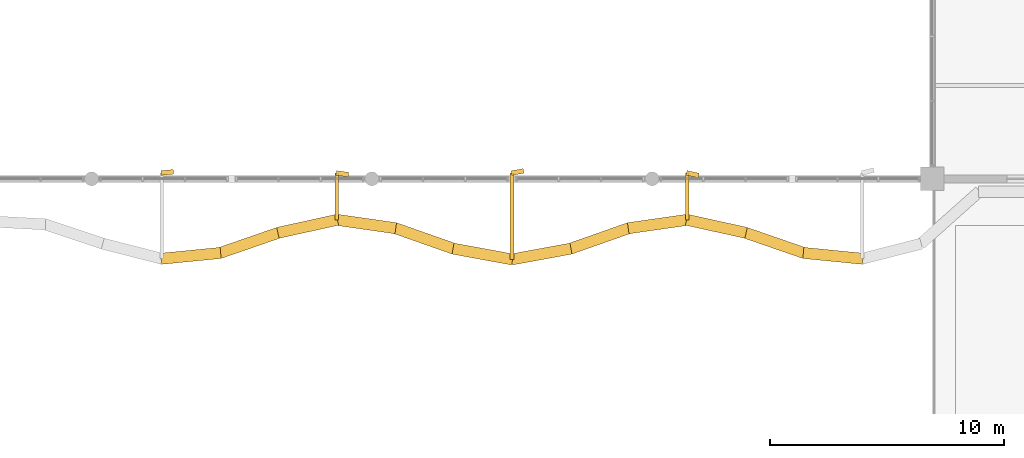
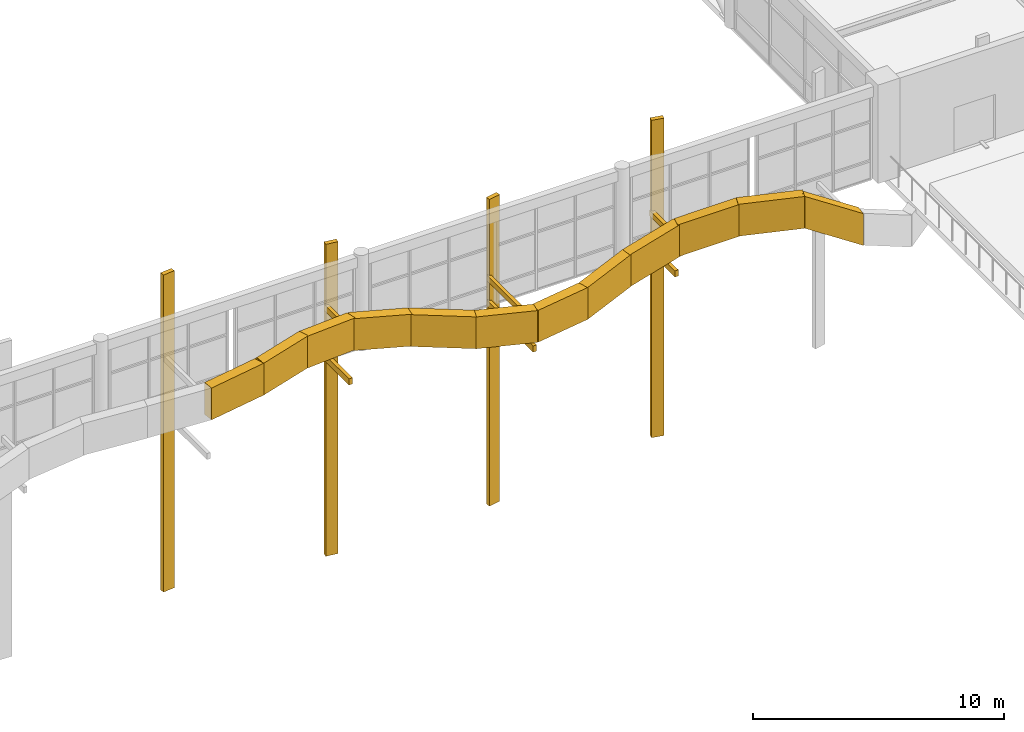
# One storey, part 53 of 63: 22 coverings.
"""IFC4 building model written with IfcOpenShell, lengths in metres."""

from ifc_helpers import new_model, si_unit, direction, frame, frame_2d, origin, place, context, subcontext, project, spatial, polyline, rectangle, outline, extrude, material, layer, layer_set, type_object, element, save


model = new_model("IFC4")

# Units and contexts
model_context = context("Model", 3, precision=1e-05, world=origin(), true_north=direction((0.0, 1.0)))
body_context = subcontext(model_context, "Body", "Model", "MODEL_VIEW")
ifc_project = project(units=[si_unit("LENGTHUNIT", "METRE"), si_unit("AREAUNIT", "SQUARE_METRE"), si_unit("VOLUMEUNIT", "CUBIC_METRE"), si_unit("PLANEANGLEUNIT", "RADIAN"), si_unit("MASSUNIT", "GRAM", prefix="KILO")], contexts=[model_context])

# Site, building, storey
site_placement = place(None, origin())
site = spatial("IfcSite", under=ifc_project, at=site_placement, CompositionType="ELEMENT")
building_placement = place(site_placement, origin())
building = spatial("IfcBuilding", under=site, at=building_placement, Name="Keelwater Ferry Terminal", CompositionType="ELEMENT")
storey_placement = place(building_placement, frame((0.0, 0.0, 10.199951171875)))
storey = spatial("IfcBuildingStorey", under=building, at=storey_placement, Name="L02", CompositionType="ELEMENT", Elevation=10.199951171875)

# Coverings
ifc_material = material(Name="Matte white architectural aluminium fascia ribbon", Category="aluminium")
ifc_layer = layer(ifc_material, 0.1201171875)
ifc_layer_set = layer_set([ifc_layer], Name="Matte white architectural aluminium fascia ribbon")
covering_type = type_object("IfcCoveringType", Name="RB-WHT Matte White Fascia Ribbon", PredefinedType="CLADDING", material=ifc_layer_set)
covering_1_placement = place(storey_placement, frame((98.97509765625, 38.576904296875, 1.804931640625), z_axis=(0.0, 0.0, 1.0), x_axis=(0.995190712751, 0.097956343614, 0.0)))
element("IfcCovering", 1, at=covering_1_placement, inside=storey, type_object=covering_type, Name="Concourse Upper Wave Fascia Ribbon 472", PredefinedType="CLADDING", context=body_context, shape_type="SweptSolid", body=[
    extrude(outline(polyline([(0.0, 0.0), (2.56201171875, 0.166015625), (2.56201171875, 1.716064453125), (0.0, 1.550048828125), (0.0, 0.0)])), frame((0.0, 0.239990234375, 0.0), z_axis=(0.0, -1.0, 0.0), x_axis=(1.0, 0.0, 0.0)), (0.0, 0.0, 1.0), 0.47998046875),
])
covering_2_placement = place(storey_placement, frame((98.97509765625, 42.248046875, -8.884033203125), z_axis=(0.0, 0.0, 1.0), x_axis=(0.995181961028, 0.098045216327, 0.0)))
element("IfcCovering", 2, at=covering_2_placement, inside=storey, type_object=covering_type, Name="Ribbon Recessed Support Mullion 481", PredefinedType="CLADDING", context=body_context, shape_type="SweptSolid", body=[
    extrude(outline(polyline([(0.0, 0.0), (0.5302734375, 0.0), (0.5302734375, 15.43115234375), (0.0, 15.43115234375), (0.0, 0.0)])), frame((0.0, 0.10009765625, 0.0), z_axis=(0.0, -1.0, 0.0), x_axis=(1.0, 0.0, 0.0)), (0.0, 0.0, 1.0), 0.199951171875),
])
covering_3_placement = place(storey_placement, frame((101.47607421875, 38.818115234375, 1.8779296875), z_axis=(0.0, 0.0, 1.0), x_axis=(0.945110901935, 0.326749725391, 0.0)))
element("IfcCovering", 3, at=covering_3_placement, inside=storey, type_object=covering_type, Name="Concourse Upper Wave Fascia Ribbon 483", PredefinedType="CLADDING", context=body_context, shape_type="SweptSolid", body=[
    extrude(outline(polyline([(0.0, 0.093017578125), (2.69580078125, 0.0), (2.69580078125, 1.550048828125), (0.0, 1.64306640625), (0.0, 0.093017578125)])), frame((0.0, 0.239990234375, 0.0), z_axis=(0.0, -1.0, 0.0), x_axis=(1.0, 0.0, 0.0)), (0.0, 0.0, 1.0), 0.47998046875),
])
covering_4_placement = place(storey_placement, frame((103.97607421875, 39.68603515625, 1.554931640625), z_axis=(0.0, 0.0, 1.0), x_axis=(0.976524931289, 0.215404407036, 0.0)))
element("IfcCovering", 4, at=covering_4_placement, inside=storey, type_object=covering_type, Name="Concourse Upper Wave Fascia Ribbon 486", PredefinedType="CLADDING", context=body_context, shape_type="SweptSolid", body=[
    extrude(outline(polyline([(0.0, 0.322998046875), (2.609130859375, 0.0), (2.609130859375, 1.550048828125), (0.0, 1.873046875), (0.0, 0.322998046875)])), frame((0.0, 0.239990234375, 0.0), z_axis=(0.0, -1.0, 0.0), x_axis=(1.0, 0.0, 0.0)), (0.0, 0.0, 1.0), 0.47998046875),
])
covering_5_placement = place(storey_placement, frame((106.47509765625, 40.2470703125, 1.10693359375), z_axis=(0.0, 0.0, 1.0), x_axis=(0.990015739635, -0.140956856074, 0.0)))
element("IfcCovering", 5, at=covering_5_placement, inside=storey, type_object=covering_type, Name="Concourse Upper Wave Fascia Ribbon 490", PredefinedType="CLADDING", context=body_context, shape_type="SweptSolid", body=[
    extrude(outline(polyline([(0.0, 0.447998046875), (2.575439453125, 0.0), (2.575439453125, 1.550048828125), (0.0, 1.998046875), (0.0, 0.447998046875)])), frame((0.0, 0.239990234375, 0.0), z_axis=(0.0, -1.0, 0.0), x_axis=(1.0, 0.0, 0.0)), (0.0, 0.0, 1.0), 0.47998046875),
])
covering_6_placement = place(storey_placement, frame((106.5, 40.242919921875, 2.18994140625), z_axis=(0.0, 0.0, 1.0), x_axis=(0.0, 1.0, 0.0)))
element("IfcCovering", 6, at=covering_6_placement, inside=storey, type_object=covering_type, Name="Ribbon Horizontal Tie Bracket 494", PredefinedType="CLADDING", context=body_context, shape_type="SweptSolid", body=[
    extrude(rectangle(XDim=2.007080078125, YDim=0.159912109375, at=frame_2d((1.00341796875, 0.0))), origin(), (0.0, 0.0, 1.0), 0.280029296875),
])
covering_7_placement = place(storey_placement, frame((106.5, 40.242919921875, -0.25), z_axis=(0.0, 0.0, 1.0), x_axis=(0.0, 1.0, 0.0)))
element("IfcCovering", 7, at=covering_7_placement, inside=storey, type_object=covering_type, Name="Ribbon Slab Tie Bracket 496", PredefinedType="CLADDING", context=body_context, shape_type="SweptSolid", body=[
    extrude(rectangle(XDim=2.007080078125, YDim=0.159912109375, at=frame_2d((1.00341796875, 0.0))), origin(), (0.0, 0.0, 1.0), 0.300048828125),
])
covering_8_placement = place(storey_placement, frame((106.47509765625, 42.25390625, -9.761962890625), z_axis=(0.0, 0.0, 1.0), x_axis=(0.989958700481, -0.14135689351, 0.0)))
element("IfcCovering", 8, at=covering_8_placement, inside=storey, type_object=covering_type, Name="Ribbon Recessed Support Mullion 498", PredefinedType="CLADDING", context=body_context, shape_type="SweptSolid", body=[
    extrude(outline(polyline([(0.0, 0.0), (0.5302734375, 0.0), (0.5302734375, 15.178955078125), (0.0, 15.178955078125), (0.0, 0.0)])), frame((0.0, 0.10009765625, 0.0), z_axis=(0.0, -1.0, 0.0), x_axis=(1.0, 0.0, 0.0)), (0.0, 0.0, 1.0), 0.199951171875),
])
covering_9_placement = place(storey_placement, frame((108.97607421875, 39.89599609375, 0.64599609375), z_axis=(0.0, 0.0, 1.0), x_axis=(0.943366885716, -0.33175129078, 0.0)))
element("IfcCovering", 9, at=covering_9_placement, inside=storey, type_object=covering_type, Name="Concourse Upper Wave Fascia Ribbon 501", PredefinedType="CLADDING", context=body_context, shape_type="SweptSolid", body=[
    extrude(outline(polyline([(0.0, 0.4609375), (2.700927734375, 0.0), (2.700927734375, 1.550048828125), (0.0, 2.010986328125), (0.0, 0.4609375)])), frame((0.0, 0.239990234375, 0.0), z_axis=(0.0, -1.0, 0.0), x_axis=(1.0, 0.0, 0.0)), (0.0, 0.0, 1.0), 0.47998046875),
])
covering_10_placement = place(storey_placement, frame((111.47509765625, 39.012939453125, 0.34814453125), z_axis=(0.0, 0.0, 1.0), x_axis=(0.983568673155, -0.180534387824, 0.0)))
element("IfcCovering", 10, at=covering_10_placement, inside=storey, type_object=covering_type, Name="Concourse Upper Wave Fascia Ribbon 505", PredefinedType="CLADDING", context=body_context, shape_type="SweptSolid", body=[
    extrude(outline(polyline([(0.0, 0.2978515625), (2.59228515625, 0.0), (2.59228515625, 1.5498046875), (0.0, 1.847900390625), (0.0, 0.2978515625)])), frame((0.0, 0.239990234375, 0.0), z_axis=(0.0, -1.0, 0.0), x_axis=(1.0, 0.0, 0.0)), (0.0, 0.0, 1.0), 0.47998046875),
])
covering_11_placement = place(storey_placement, frame((113.97509765625, 38.544921875, 0.282958984375), z_axis=(0.0, 0.0, 1.0), x_axis=(0.983568673155, 0.180534387824, 0.0)))
element("IfcCovering", 11, at=covering_11_placement, inside=storey, type_object=covering_type, Name="Concourse Upper Wave Fascia Ribbon 509", PredefinedType="CLADDING", context=body_context, shape_type="SweptSolid", body=[
    extrude(outline(polyline([(0.0, 0.065185546875), (2.59228515625, 0.0), (2.59228515625, 1.550048828125), (0.0, 1.614990234375), (0.0, 0.065185546875)])), frame((0.0, 0.239990234375, 0.0), z_axis=(0.0, -1.0, 0.0), x_axis=(1.0, 0.0, 0.0)), (0.0, 0.0, 1.0), 0.47998046875),
])
covering_12_placement = place(storey_placement, frame((114.0, 38.550048828125, 0.983154296875), z_axis=(0.0, 0.0, 1.0), x_axis=(0.0, 1.0, 0.0)))
element("IfcCovering", 12, at=covering_12_placement, inside=storey, type_object=covering_type, Name="Ribbon Horizontal Tie Bracket 513", PredefinedType="CLADDING", context=body_context, shape_type="SweptSolid", body=[
    extrude(rectangle(XDim=3.699951171875, YDim=0.159912109375, at=frame_2d((1.85009765625, 0.0))), origin(), (0.0, 0.0, 1.0), 0.27978515625),
])
covering_13_placement = place(storey_placement, frame((114.0, 38.550048828125, -0.25), z_axis=(0.0, 0.0, 1.0), x_axis=(0.0, 1.0, 0.0)))
element("IfcCovering", 13, at=covering_13_placement, inside=storey, type_object=covering_type, Name="Ribbon Slab Tie Bracket 516", PredefinedType="CLADDING", context=body_context, shape_type="SweptSolid", body=[
    extrude(rectangle(XDim=3.699951171875, YDim=0.159912109375, at=frame_2d((1.85009765625, 0.0))), origin(), (0.0, 0.0, 1.0), 0.300048828125),
])
covering_14_placement = place(storey_placement, frame((113.97509765625, 42.2451171875, -9.949951171875), z_axis=(0.0, 0.0, 1.0), x_axis=(0.983522135581, 0.180787745221, 0.0)))
element("IfcCovering", 14, at=covering_14_placement, inside=storey, type_object=covering_type, Name="Ribbon Recessed Support Mullion 518", PredefinedType="CLADDING", context=body_context, shape_type="SweptSolid", body=[
    extrude(outline(polyline([(0.0, 0.0), (0.53076171875, 0.0), (0.53076171875, 14.922119140625), (0.0, 14.922119140625), (0.0, 0.0)])), frame((0.0, 0.10009765625, 0.0), z_axis=(0.0, -1.0, 0.0), x_axis=(1.0, 0.0, 0.0)), (0.0, 0.0, 1.0), 0.199951171875),
])
covering_15_placement = place(storey_placement, frame((116.47607421875, 39.0, 0.282958984375), z_axis=(0.0, 0.0, 1.0), x_axis=(0.943366885716, 0.33175129078, 0.0)))
element("IfcCovering", 15, at=covering_15_placement, inside=storey, type_object=covering_type, Name="Concourse Upper Wave Fascia Ribbon 519", PredefinedType="CLADDING", context=body_context, shape_type="SweptSolid", body=[
    extrude(outline(polyline([(0.0, 0.0), (2.700927734375, 0.201171875), (2.700927734375, 1.7509765625), (0.0, 1.550048828125), (0.0, 0.0)])), frame((0.0, 0.239990234375, 0.0), z_axis=(0.0, -1.0, 0.0), x_axis=(1.0, 0.0, 0.0)), (0.0, 0.0, 1.0), 0.47998046875),
])
covering_16_placement = place(storey_placement, frame((118.97509765625, 39.884033203125, 0.484130859375), z_axis=(0.0, 0.0, 1.0), x_axis=(0.990015739635, 0.140956856074, 0.0)))
element("IfcCovering", 16, at=covering_16_placement, inside=storey, type_object=covering_type, Name="Concourse Upper Wave Fascia Ribbon 522", PredefinedType="CLADDING", context=body_context, shape_type="SweptSolid", body=[
    extrude(outline(polyline([(0.0, 0.0), (2.575439453125, 0.385986328125), (2.575439453125, 1.93603515625), (0.0, 1.5498046875), (0.0, 0.0)])), frame((0.0, 0.239990234375, 0.0), z_axis=(0.0, -1.0, 0.0), x_axis=(1.0, 0.0, 0.0)), (0.0, 0.0, 1.0), 0.47998046875),
])
covering_17_placement = place(storey_placement, frame((121.47607421875, 40.248046875, 0.8701171875), z_axis=(0.0, 0.0, 1.0), x_axis=(0.976524931289, -0.215404407036, 0.0)))
element("IfcCovering", 17, at=covering_17_placement, inside=storey, type_object=covering_type, Name="Concourse Upper Wave Fascia Ribbon 525", PredefinedType="CLADDING", context=body_context, shape_type="SweptSolid", body=[
    extrude(outline(polyline([(0.0, 0.0), (2.609130859375, 0.468994140625), (2.609130859375, 2.01904296875), (0.0, 1.550048828125), (0.0, 0.0)])), frame((0.0, 0.239990234375, 0.0), z_axis=(0.0, -1.0, 0.0), x_axis=(1.0, 0.0, 0.0)), (0.0, 0.0, 1.0), 0.47998046875),
])
covering_18_placement = place(storey_placement, frame((121.5, 40.242919921875, 1.505126953125), z_axis=(0.0, 0.0, 1.0), x_axis=(0.0, 1.0, 0.0)))
element("IfcCovering", 18, at=covering_18_placement, inside=storey, type_object=covering_type, Name="Ribbon Horizontal Tie Bracket 529", PredefinedType="CLADDING", context=body_context, shape_type="SweptSolid", body=[
    extrude(rectangle(XDim=2.007080078125, YDim=0.159912109375, at=frame_2d((1.00341796875, 0.0))), origin(), (0.0, 0.0, 1.0), 0.280029296875),
])
covering_19_placement = place(storey_placement, frame((121.5, 40.242919921875, -0.25), z_axis=(0.0, 0.0, 1.0), x_axis=(0.0, 1.0, 0.0)))
element("IfcCovering", 19, at=covering_19_placement, inside=storey, type_object=covering_type, Name="Ribbon Slab Tie Bracket 532", PredefinedType="CLADDING", context=body_context, shape_type="SweptSolid", body=[
    extrude(rectangle(XDim=2.007080078125, YDim=0.159912109375, at=frame_2d((1.00341796875, 0.0))), origin(), (0.0, 0.0, 1.0), 0.300048828125),
])
covering_20_placement = place(storey_placement, frame((121.47607421875, 42.2548828125, -9.241943359375), z_axis=(0.0, 0.0, 1.0), x_axis=(0.97661929057, -0.214976187721, 0.0)))
element("IfcCovering", 20, at=covering_20_placement, inside=storey, type_object=covering_type, Name="Ribbon Recessed Support Mullion 534", PredefinedType="CLADDING", context=body_context, shape_type="SweptSolid", body=[
    extrude(outline(polyline([(0.0, 0.0), (0.529296875, 0.0), (0.529296875, 15.444091796875), (0.0, 15.444091796875), (0.0, 0.0)])), frame((0.0, 0.10009765625, 0.0), z_axis=(0.0, -1.0, 0.0), x_axis=(1.0, 0.0, 0.0)), (0.0, 0.0, 1.0), 0.199951171875),
])
covering_21_placement = place(storey_placement, frame((123.97607421875, 39.698974609375, 1.339111328125), z_axis=(0.0, 0.0, 1.0), x_axis=(0.945110901935, -0.326749725391, 0.0)))
element("IfcCovering", 21, at=covering_21_placement, inside=storey, type_object=covering_type, Name="Concourse Upper Wave Fascia Ribbon 536", PredefinedType="CLADDING", context=body_context, shape_type="SweptSolid", body=[
    extrude(outline(polyline([(0.0, 0.0), (2.69580078125, 0.02685546875), (2.69580078125, 1.576904296875), (0.0, 1.550048828125), (0.0, 0.0)])), frame((0.0, 0.239990234375, 0.0), z_axis=(0.0, -1.0, 0.0), x_axis=(1.0, 0.0, 0.0)), (0.0, 0.0, 1.0), 0.47998046875),
])
covering_22_placement = place(storey_placement, frame((126.47509765625, 38.827880859375, -0.2099609375), z_axis=(0.0, 0.0, 1.0), x_axis=(0.995190712751, -0.097956343614, 0.0)))
element("IfcCovering", 22, at=covering_22_placement, inside=storey, type_object=covering_type, Name="Concourse Upper Wave Fascia Ribbon 540", PredefinedType="CLADDING", context=body_context, shape_type="SweptSolid", body=[
    extrude(outline(polyline([(0.0, 1.575927734375), (2.56201171875, 0.0), (2.56201171875, 1.550048828125), (0.0, 3.1259765625), (0.0, 1.575927734375)])), frame((0.0, 0.239990234375, 0.0), z_axis=(0.0, -1.0, 0.0), x_axis=(1.0, 0.0, 0.0)), (0.0, 0.0, 1.0), 0.47998046875),
])

save(model, "model.ifc")
